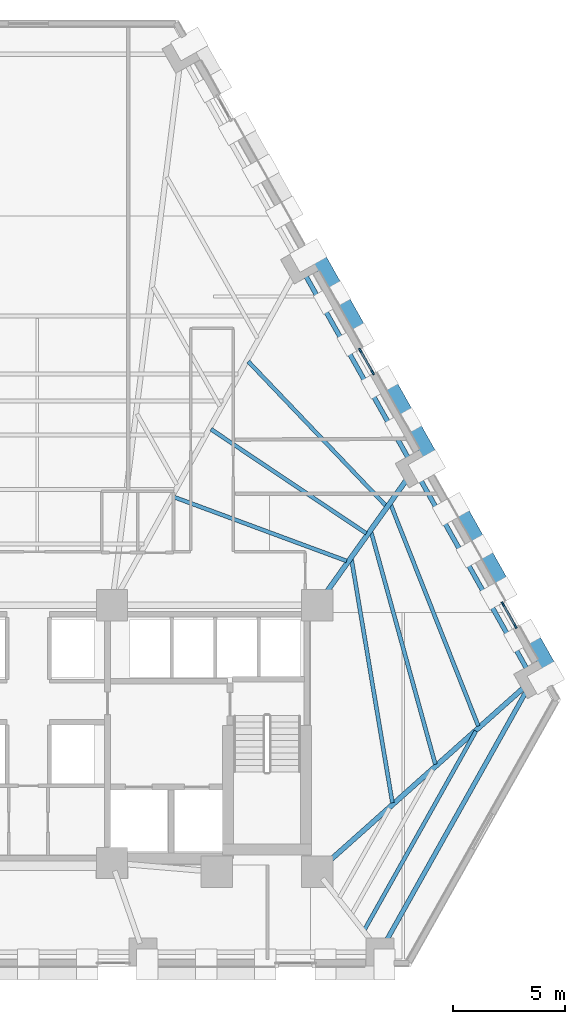
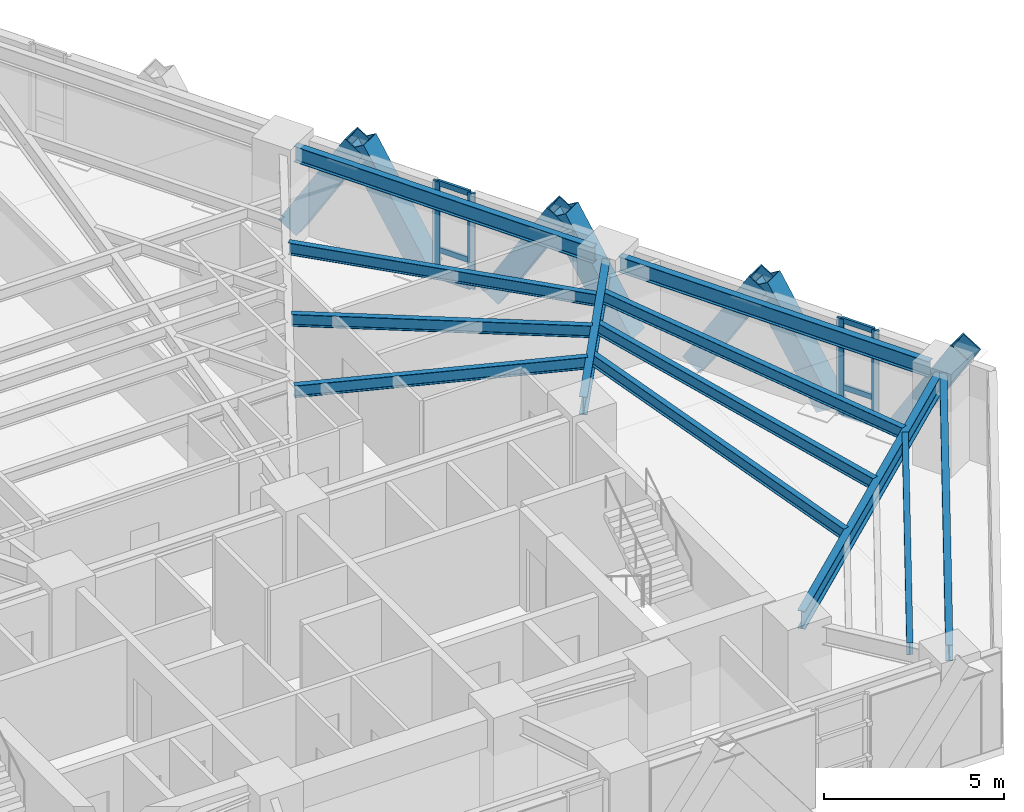
# One storey, part 4 of 13: 17 members, 12 beams, 2 elements without a shape of their own.
"""IFC4 building model written with IfcOpenShell, lengths in metres."""

from ifc_helpers import new_model, si_unit, direction, frame, origin, origin_2d, place, context, subcontext, project, spatial, rectangle, hollow_rectangle, i_section, extrude, material, material_profile, profile_set, type_object, element, aggregate, save


model = new_model("IFC4")

# Units and contexts
model_context = context("Model", 3, precision=1e-05, world=origin(), true_north=direction((0.0, 1.0)))
body_context = subcontext(model_context, "Body", "Model", "MODEL_VIEW")
ifc_project = project(units=[si_unit("LENGTHUNIT", "METRE"), si_unit("AREAUNIT", "SQUARE_METRE"), si_unit("VOLUMEUNIT", "CUBIC_METRE"), si_unit("PLANEANGLEUNIT", "RADIAN"), si_unit("MASSUNIT", "GRAM", prefix="KILO")], contexts=[model_context])

# Site, building, storey
site_placement = place(None, origin())
site = spatial("IfcSite", under=ifc_project, at=site_placement, CompositionType="ELEMENT")
building_placement = place(site_placement, origin())
building = spatial("IfcBuilding", under=site, at=building_placement, Name="Quenlor Broadcast Tower", CompositionType="ELEMENT")
storey_placement = place(building_placement, frame((0.0, 0.0, 66.10009765625)))
storey = spatial("IfcBuildingStorey", under=building, at=storey_placement, Name="L17", CompositionType="ELEMENT", Elevation=66.10009765625)

# Curtain wall, members
ifc_material_1 = material(Name="Architectural Terracotta and Low-E Glazing", Category="masonry")
curtain_wall_type = type_object("IfcCurtainWallType", Name="Unitised Terracotta Curtain Wall System Z1", PredefinedType="NOTDEFINED", material=ifc_material_1)
curtain_wall_1_placement = place(storey_placement, origin())
curtain_wall_1 = element("IfcCurtainWall", 1, at=curtain_wall_1_placement, inside=storey, type_object=curtain_wall_type, Name="L17 Curtain Wall CW1 (L17-NEC-G1)", PredefinedType="NOTDEFINED")
ifc_material_2 = material(Name="Aluminium 6063-T6", Category="aluminium")
ifc_material_profile_1 = material_profile(ifc_material_2, rectangle(XDim=0.080078125, YDim=0.219970703125, at=origin_2d()))
ifc_profile_set_1 = profile_set([ifc_material_profile_1], Name="Aluminium 6063-T6 MULL80x220")
member_type_1 = type_object("IfcMemberType", Name="CW1 Aluminium Mullion MULL_CW1", PredefinedType="MULLION", material=ifc_profile_set_1)
member_1_placement = place(storey_placement, frame((21.277587890625, -4.75341796875, 0.0), z_axis=(0.0, 0.0, 1.0), x_axis=(0.871602077703, 0.490214053392, 0.0)))
member_1 = element("IfcMember", 2, at=member_1_placement, type_object=member_type_1, Name="CW1 mullion 1", PredefinedType="MULLION", context=body_context, shape_type="SweptSolid", body=[
    extrude(rectangle(XDim=0.080078125, YDim=0.219970703125, at=origin_2d()), origin(), (0.0, 0.0, 1.0), 3.25),
])
member_2_placement = place(storey_placement, frame((21.830322265625, -5.736083984375, 0.0), z_axis=(0.0, 0.0, 1.0), x_axis=(0.871602077703, 0.490214053392, 0.0)))
member_2 = element("IfcMember", 3, at=member_2_placement, type_object=member_type_1, Name="CW1 mullion 2", PredefinedType="MULLION", context=body_context, shape_type="SweptSolid", body=[
    extrude(rectangle(XDim=0.080078125, YDim=0.219970703125, at=origin_2d()), origin(), (0.0, 0.0, 1.0), 3.25),
])

curtain_wall_2_placement = place(storey_placement, origin())
curtain_wall_2 = element("IfcCurtainWall", 4, at=curtain_wall_2_placement, inside=storey, type_object=curtain_wall_type, Name="L17 Curtain Wall CW1 (L17-NE-G1)", PredefinedType="NOTDEFINED")
member_3_placement = place(storey_placement, frame((14.884033203125, 6.613037109375, 0.0), z_axis=(0.0, 0.0, 1.0), x_axis=(0.871566690057, 0.49027696742, 0.0)))
member_3 = element("IfcMember", 5, at=member_3_placement, type_object=member_type_1, Name="CW1 mullion 1", PredefinedType="MULLION", context=body_context, shape_type="SweptSolid", body=[
    extrude(rectangle(XDim=0.080078125, YDim=0.219970703125, at=origin_2d()), origin(), (0.0, 0.0, 1.0), 3.25),
])
member_4_placement = place(storey_placement, frame((15.436767578125, 5.63037109375, 0.0), z_axis=(0.0, 0.0, 1.0), x_axis=(0.871566690057, 0.49027696742, 0.0)))
member_4 = element("IfcMember", 6, at=member_4_placement, type_object=member_type_1, Name="CW1 mullion 2", PredefinedType="MULLION", context=body_context, shape_type="SweptSolid", body=[
    extrude(rectangle(XDim=0.080078125, YDim=0.219970703125, at=origin_2d()), origin(), (0.0, 0.0, 1.0), 3.25),
])

# Member
ifc_material_3 = material(Name="Aluminium 6063-T6", Category="aluminium")
ifc_material_profile_2 = material_profile(ifc_material_3, rectangle(XDim=0.080078125, YDim=0.179931640625, at=origin_2d()))
ifc_profile_set_2 = profile_set([ifc_material_profile_2], Name="Aluminium 6063-T6 TRAN80x180")
member_type_2 = type_object("IfcMemberType", Name="CW1 Aluminium Transom TRAN_CW1", PredefinedType="USERDEFINED", material=ifc_profile_set_2)
member_5_placement = place(storey_placement, frame((21.29736328125, -4.788330078125, 0.039794921875), z_axis=(0.490228036821, -0.871594212874, 0.0), x_axis=(0.871594212874, 0.490228036821, 0.0)))
member_5 = element("IfcMember", 7, at=member_5_placement, type_object=member_type_2, Name="CW1 transom 1.1", ObjectType="TRANSOM", PredefinedType="USERDEFINED", context=body_context, shape_type="SweptSolid", body=[
    extrude(rectangle(XDim=0.080078125, YDim=0.179931640625, at=origin_2d()), origin(), (0.0, 0.0, 1.0), 1.04736328125),
])

member_6_placement = place(storey_placement, frame((21.29736328125, -4.788330078125, 0.949951171875), z_axis=(0.490228036821, -0.871594212874, 0.0), x_axis=(0.871594212874, 0.490228036821, 0.0)))
member_6 = element("IfcMember", 8, at=member_6_placement, type_object=member_type_2, Name="CW1 transom 1.2", ObjectType="TRANSOM", PredefinedType="USERDEFINED", context=body_context, shape_type="SweptSolid", body=[
    extrude(rectangle(XDim=0.080078125, YDim=0.179931640625, at=origin_2d()), origin(), (0.0, 0.0, 1.0), 1.04736328125),
])

member_7_placement = place(storey_placement, frame((21.29736328125, -4.788330078125, 3.2099609375), z_axis=(0.490228036821, -0.871594212874, 0.0), x_axis=(0.871594212874, 0.490228036821, 0.0)))
member_7 = element("IfcMember", 9, at=member_7_placement, type_object=member_type_2, Name="CW1 transom 1.3", ObjectType="TRANSOM", PredefinedType="USERDEFINED", context=body_context, shape_type="SweptSolid", body=[
    extrude(rectangle(XDim=0.080078125, YDim=0.179931640625, at=origin_2d()), origin(), (0.0, 0.0, 1.0), 1.04736328125),
])

aggregate(curtain_wall_1, [member_1, member_2, member_5, member_6, member_7])

member_8_placement = place(storey_placement, frame((14.90380859375, 6.578125, 0.039794921875), z_axis=(0.490128451098, -0.87165021736, 0.0), x_axis=(0.87165021736, 0.490128451098, 0.0)))
member_8 = element("IfcMember", 10, at=member_8_placement, type_object=member_type_2, Name="CW1 transom 1.1", ObjectType="TRANSOM", PredefinedType="USERDEFINED", context=body_context, shape_type="SweptSolid", body=[
    extrude(rectangle(XDim=0.080078125, YDim=0.179931640625, at=origin_2d()), origin(), (0.0, 0.0, 1.0), 1.047607421875),
])

member_9_placement = place(storey_placement, frame((14.90380859375, 6.578125, 0.949951171875), z_axis=(0.490128451098, -0.87165021736, 0.0), x_axis=(0.87165021736, 0.490128451098, 0.0)))
member_9 = element("IfcMember", 11, at=member_9_placement, type_object=member_type_2, Name="CW1 transom 1.2", ObjectType="TRANSOM", PredefinedType="USERDEFINED", context=body_context, shape_type="SweptSolid", body=[
    extrude(rectangle(XDim=0.080078125, YDim=0.179931640625, at=origin_2d()), origin(), (0.0, 0.0, 1.0), 1.047607421875),
])

member_10_placement = place(storey_placement, frame((14.90380859375, 6.578125, 3.2099609375), z_axis=(0.490128451098, -0.87165021736, 0.0), x_axis=(0.87165021736, 0.490128451098, 0.0)))
member_10 = element("IfcMember", 12, at=member_10_placement, type_object=member_type_2, Name="CW1 transom 1.3", ObjectType="TRANSOM", PredefinedType="USERDEFINED", context=body_context, shape_type="SweptSolid", body=[
    extrude(rectangle(XDim=0.080078125, YDim=0.179931640625, at=origin_2d()), origin(), (0.0, 0.0, 1.0), 1.047607421875),
])

aggregate(curtain_wall_2, [member_3, member_4, member_8, member_9, member_10])

# Members
ifc_material_4 = material(Name="Steel S355", Category="steel")
ifc_material_profile_3 = material_profile(ifc_material_4, hollow_rectangle(XDim=0.679931640625, YDim=0.679931640625, WallThickness=0.034912109375, at=origin_2d()))
ifc_profile_set_3 = profile_set([ifc_material_profile_3], Name="Steel S355 RHS680x680x35")
member_type_3 = type_object("IfcMemberType", Name="Perimeter Diagonal Lattice Brace Z1 Steel S355 RHS680x35", PredefinedType="BRACE", material=ifc_profile_set_3)
for number, where, z_axis, x_axis, name in (
    (13, (12.84716796875, 11.039794921875, -0.1201171875), (0.256375341489, -0.45579159737, 0.852364771705), (0.871581609758, 0.490250443683, 0.0), "L17 Perimeter Diamond Lattice NE-C2S"),
    (14, (16.0439453125, 5.356689453125, -0.1201171875), (0.256375341489, -0.45579159737, 0.852364771705), (0.871581609758, 0.490250443683, 0.0), "L17 Perimeter Diamond Lattice NE-C3S"),
):
    element("IfcMember", number, at=place(storey_placement, frame(where, z_axis=z_axis, x_axis=x_axis)), inside=storey, type_object=member_type_3, Name=name, PredefinedType="BRACE", context=body_context, shape_type="SweptSolid", body=[
        extrude(hollow_rectangle(XDim=0.679931640625, YDim=0.679931640625, WallThickness=0.034912109375, at=origin_2d()), origin(), (0.0, 0.0, 1.0), 4.106201171875),
    ])
member_11_placement = place(storey_placement, frame((14.965576171875, 7.273681640625, -0.1201171875), z_axis=(-0.256368393635, 0.455838699906, 0.852341672343), x_axis=(-0.871608931644, -0.490201866865, 0.0)))
element("IfcMember", 15, at=member_11_placement, inside=storey, type_object=member_type_3, Name="L17 Perimeter Diamond Lattice NE-C3B", PredefinedType="BRACE", context=body_context, shape_type="SweptSolid", body=[
    extrude(hollow_rectangle(XDim=0.679931640625, YDim=0.679931640625, WallThickness=0.034912109375, at=origin_2d()), origin(), (0.0, 0.0, 1.0), 4.1064453125),
])
for number, where, z_axis, x_axis, name in (
    (16, (19.24072265625, -0.326416015625, -0.1201171875), (0.256375341489, -0.45579159737, 0.852364771705), (0.871581609758, 0.490250443683, 0.0), "L17 Perimeter Diamond Lattice NE-C4S"),
    (17, (18.162353515625, 1.5908203125, -0.1201171875), (-0.256375341489, 0.45579159737, 0.852364771705), (-0.871581609758, -0.490250443683, 0.0), "L17 Perimeter Diamond Lattice NE-C4B"),
):
    element("IfcMember", number, at=place(storey_placement, frame(where, z_axis=z_axis, x_axis=x_axis)), inside=storey, type_object=member_type_3, Name=name, PredefinedType="BRACE", context=body_context, shape_type="SweptSolid", body=[
        extrude(hollow_rectangle(XDim=0.679931640625, YDim=0.679931640625, WallThickness=0.034912109375, at=origin_2d()), origin(), (0.0, 0.0, 1.0), 4.106201171875),
    ])
member_12_placement = place(storey_placement, frame((22.4375, -6.009521484375, -0.1201171875), z_axis=(0.256368393635, -0.455838699906, 0.852341672343), x_axis=(0.871608931644, 0.490201866865, 0.0)))
element("IfcMember", 18, at=member_12_placement, inside=storey, type_object=member_type_3, Name="L17 Perimeter Diamond Lattice NE-C5S", PredefinedType="BRACE", context=body_context, shape_type="SweptSolid", body=[
    extrude(hollow_rectangle(XDim=0.679931640625, YDim=0.679931640625, WallThickness=0.034912109375, at=origin_2d()), origin(), (0.0, 0.0, 1.0), 4.1064453125),
])
member_13_placement = place(storey_placement, frame((21.359130859375, -4.092529296875, -0.1201171875), z_axis=(-0.256375341489, 0.45579159737, 0.852364771705), x_axis=(-0.871581609758, -0.490250443683, 0.0)))
element("IfcMember", 19, at=member_13_placement, inside=storey, type_object=member_type_3, Name="L17 Perimeter Diamond Lattice NE-C5B", PredefinedType="BRACE", context=body_context, shape_type="SweptSolid", body=[
    extrude(hollow_rectangle(XDim=0.679931640625, YDim=0.679931640625, WallThickness=0.034912109375, at=origin_2d()), origin(), (0.0, 0.0, 1.0), 4.106201171875),
])

# Beams
ifc_material_5 = material(Name="Steel S355", Category="steel")
ifc_material_profile_4 = material_profile(ifc_material_5, i_section(OverallWidth=0.208984375, OverallDepth=0.532958984375, WebThickness=0.01025390625, FlangeThickness=0.015625, FilletRadius=0.013916015625, at=origin_2d()))
ifc_profile_set_4 = profile_set([ifc_material_profile_4], Name="Steel S355 530UB92.4")
beam_type_1 = type_object("IfcBeamType", Name="Perimeter Spandrel Beam Z1 Steel S355 530UB92.4", PredefinedType="SPANDREL", material=ifc_profile_set_4)
beam_1_placement = place(storey_placement, frame((15.965576171875, -19.992431640625, 2.9833984375), z_axis=(0.489090917871, 0.87223280955, 0.0), x_axis=(-0.87223280955, 0.489090917871, 0.0)))
element("IfcBeam", 20, at=beam_1_placement, inside=storey, type_object=beam_type_1, Name="L17 Spandrel Beam S4-NE1", PredefinedType="SPANDREL", context=body_context, shape_type="SweptSolid", body=[
    extrude(i_section(OverallWidth=0.208984375, OverallDepth=0.532958984375, WebThickness=0.01025390625, FlangeThickness=0.015625, FilletRadius=0.013916015625, at=origin_2d()), origin(), (0.0, 0.0, 1.0), 13.187744140625),
])
beam_2_placement = place(storey_placement, frame((22.4150390625, -7.77490234375, 2.9833984375), z_axis=(-0.490257767622, 0.871577490121, 0.0), x_axis=(-0.871577490121, -0.490257767622, 0.0)))
element("IfcBeam", 21, at=beam_2_placement, inside=storey, type_object=beam_type_1, Name="L17 Spandrel Beam NE1-NE2", PredefinedType="SPANDREL", context=body_context, shape_type="SweptSolid", body=[
    extrude(i_section(OverallWidth=0.208984375, OverallDepth=0.532958984375, WebThickness=0.01025390625, FlangeThickness=0.015625, FilletRadius=0.013916015625, at=origin_2d()), origin(), (0.0, 0.0, 1.0), 10.015380859375),
])
beam_3_placement = place(storey_placement, frame((17.102783203125, 1.6689453125, 2.9833984375), z_axis=(-0.490257642051, 0.871577560755, 0.0), x_axis=(-0.871577560755, -0.490257642051, 0.0)))
element("IfcBeam", 22, at=beam_3_placement, inside=storey, type_object=beam_type_1, Name="L17 Spandrel Beam NE2-NE3", PredefinedType="SPANDREL", context=body_context, shape_type="SweptSolid", body=[
    extrude(i_section(OverallWidth=0.208984375, OverallDepth=0.532958984375, WebThickness=0.01025390625, FlangeThickness=0.015625, FilletRadius=0.013916015625, at=origin_2d()), origin(), (0.0, 0.0, 1.0), 9.665771484375),
])
ifc_material_6 = material(Name="Steel S355", Category="steel")
ifc_material_profile_5 = material_profile(ifc_material_6, i_section(OverallWidth=0.177978515625, OverallDepth=0.406494140625, WebThickness=0.0078125, FlangeThickness=0.0126953125, FilletRadius=0.011474609375, at=origin_2d()))
ifc_profile_set_5 = profile_set([ifc_material_profile_5], Name="Steel S355 410UB59.7")
beam_type_2 = type_object("IfcBeamType", Name="Tower Composite Joist Z1 Steel S355 410UB59.7", PredefinedType="JOIST", material=ifc_profile_set_5)
beam_4_placement = place(storey_placement, frame((14.268310546875, -2.81640625, 3.046630859375), z_axis=(-0.937824633945, 0.347109429383, 0.0), x_axis=(-0.347109429383, -0.937824633945, 0.0)))
element("IfcBeam", 23, at=beam_4_placement, inside=storey, type_object=beam_type_2, Name="L17 Secondary Composite Joist 10", PredefinedType="JOIST", context=body_context, shape_type="SweptSolid", body=[
    extrude(i_section(OverallWidth=0.177978515625, OverallDepth=0.406494140625, WebThickness=0.0078125, FlangeThickness=0.0126953125, FilletRadius=0.011474609375, at=origin_2d()), origin(), (0.0, 0.0, 1.0), 8.26513671875),
])
beam_5_placement = place(storey_placement, frame((15.147705078125, -1.577392578125, 3.046630859375), z_axis=(-0.830625844363, 0.556830949819, 0.0), x_axis=(-0.556830949819, -0.830625844363, 0.0)))
element("IfcBeam", 24, at=beam_5_placement, inside=storey, type_object=beam_type_2, Name="L17 Secondary Composite Joist 11", PredefinedType="JOIST", context=body_context, shape_type="SweptSolid", body=[
    extrude(i_section(OverallWidth=0.177978515625, OverallDepth=0.406494140625, WebThickness=0.0078125, FlangeThickness=0.0126953125, FilletRadius=0.011474609375, at=origin_2d()), origin(), (0.0, 0.0, 1.0), 8.374755859375),
])
beam_6_placement = place(storey_placement, frame((16.029541015625, -0.341796875, 3.046630859375), z_axis=(-0.690241086162, 0.723579465556, 0.0), x_axis=(-0.723579465556, -0.690241086162, 0.0)))
element("IfcBeam", 25, at=beam_6_placement, inside=storey, type_object=beam_type_2, Name="L17 Secondary Composite Joist 12", PredefinedType="JOIST", context=body_context, shape_type="SweptSolid", body=[
    extrude(i_section(OverallWidth=0.177978515625, OverallDepth=0.406494140625, WebThickness=0.0078125, FlangeThickness=0.0126953125, FilletRadius=0.011474609375, at=origin_2d()), origin(), (0.0, 0.0, 1.0), 8.93408203125),
])
beam_7_placement = place(storey_placement, frame((16.31982421875, -13.65478515625, 3.046630859375), z_axis=(-0.16559360599, 0.986194077074, 0.0), x_axis=(-0.986194077074, -0.16559360599, 0.0)))
element("IfcBeam", 26, at=beam_7_placement, inside=storey, type_object=beam_type_2, Name="L17 Secondary Composite Joist 16", PredefinedType="JOIST", context=body_context, shape_type="SweptSolid", body=[
    extrude(i_section(OverallWidth=0.177978515625, OverallDepth=0.406494140625, WebThickness=0.0078125, FlangeThickness=0.0126953125, FilletRadius=0.011474609375, at=origin_2d()), origin(), (0.0, 0.0, 1.0), 11.06787109375),
])
beam_8_placement = place(storey_placement, frame((18.2451171875, -11.93310546875, 3.046630859375), z_axis=(-0.266390054368, 0.963865311615, 0.0), x_axis=(-0.963865311615, -0.266390054368, 0.0)))
element("IfcBeam", 27, at=beam_8_placement, inside=storey, type_object=beam_type_2, Name="L17 Secondary Composite Joist 17", PredefinedType="JOIST", context=body_context, shape_type="SweptSolid", body=[
    extrude(i_section(OverallWidth=0.177978515625, OverallDepth=0.406494140625, WebThickness=0.0078125, FlangeThickness=0.0126953125, FilletRadius=0.011474609375, at=origin_2d()), origin(), (0.0, 0.0, 1.0), 10.80810546875),
])
beam_9_placement = place(storey_placement, frame((20.170166015625, -10.212158203125, 3.046630859375), z_axis=(-0.367884833597, 0.929871361646, 0.0), x_axis=(-0.929871361646, -0.367884833597, 0.0)))
element("IfcBeam", 28, at=beam_9_placement, inside=storey, type_object=beam_type_2, Name="L17 Secondary Composite Joist 18", PredefinedType="JOIST", context=body_context, shape_type="SweptSolid", body=[
    extrude(i_section(OverallWidth=0.177978515625, OverallDepth=0.406494140625, WebThickness=0.0078125, FlangeThickness=0.0126953125, FilletRadius=0.011474609375, at=origin_2d()), origin(), (0.0, 0.0, 1.0), 10.669921875),
])
beam_10_placement = place(storey_placement, frame((15.072265625, -19.34423828125, 3.046630859375), z_axis=(0.489081877778, 0.872237878579, 0.0), x_axis=(-0.872237878579, 0.489081877778, 0.0)))
element("IfcBeam", 29, at=beam_10_placement, inside=storey, type_object=beam_type_2, Name="L17 Secondary Composite Joist 24", PredefinedType="JOIST", context=body_context, shape_type="SweptSolid", body=[
    extrude(i_section(OverallWidth=0.177978515625, OverallDepth=0.406494140625, WebThickness=0.0078125, FlangeThickness=0.0126953125, FilletRadius=0.011474609375, at=origin_2d()), origin(), (0.0, 0.0, 1.0), 10.205810546875),
])
ifc_material_7 = material(Name="Steel S355", Category="steel")
ifc_material_profile_6 = material_profile(ifc_material_7, i_section(OverallWidth=0.22900390625, OverallDepth=0.611572265625, WebThickness=0.011962890625, FlangeThickness=0.01953125, FilletRadius=0.013916015625, at=origin_2d()))
ifc_profile_set_6 = profile_set([ifc_material_profile_6], Name="Steel S355 610UB125")
beam_type_3 = type_object("IfcBeamType", Name="Tower Primary Floor Beam Z1 Steel S355 610UB125", PredefinedType="BEAM", material=ifc_profile_set_6)
beam_11_placement = place(storey_placement, frame((22.31005859375, -8.40478515625, 2.944091796875), z_axis=(-0.746413754585, -0.665482161268, 0.0), x_axis=(0.665482161268, -0.746413754585, 0.0)))
element("IfcBeam", 30, at=beam_11_placement, inside=storey, type_object=beam_type_3, Name="L17 Primary Radial Beam NE1", PredefinedType="BEAM", context=body_context, shape_type="SweptSolid", body=[
    extrude(i_section(OverallWidth=0.22900390625, OverallDepth=0.611572265625, WebThickness=0.011962890625, FlangeThickness=0.01953125, FilletRadius=0.013916015625, at=origin_2d()), origin(), (0.0, 0.0, 1.0), 12.159912109375),
])
beam_12_placement = place(storey_placement, frame((17.06591796875, 0.977783203125, 2.944091796875), z_axis=(-0.580212680853, -0.814465005373, 0.0), x_axis=(0.814465005373, -0.580212680853, 0.0)))
element("IfcBeam", 31, at=beam_12_placement, inside=storey, type_object=beam_type_3, Name="L17 Primary Radial Beam NE2", PredefinedType="BEAM", context=body_context, shape_type="SweptSolid", body=[
    extrude(i_section(OverallWidth=0.22900390625, OverallDepth=0.611572265625, WebThickness=0.011962890625, FlangeThickness=0.01953125, FilletRadius=0.013916015625, at=origin_2d()), origin(), (0.0, 0.0, 1.0), 6.7138671875),
])

save(model, "model.ifc")
